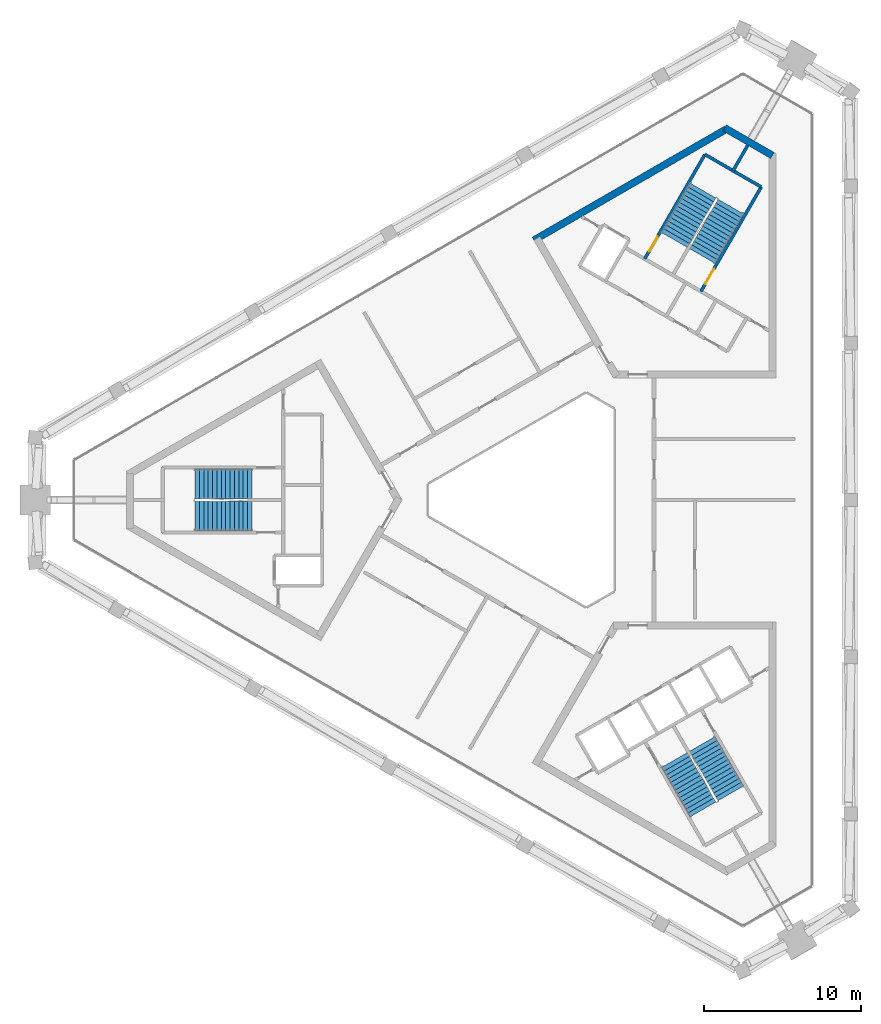
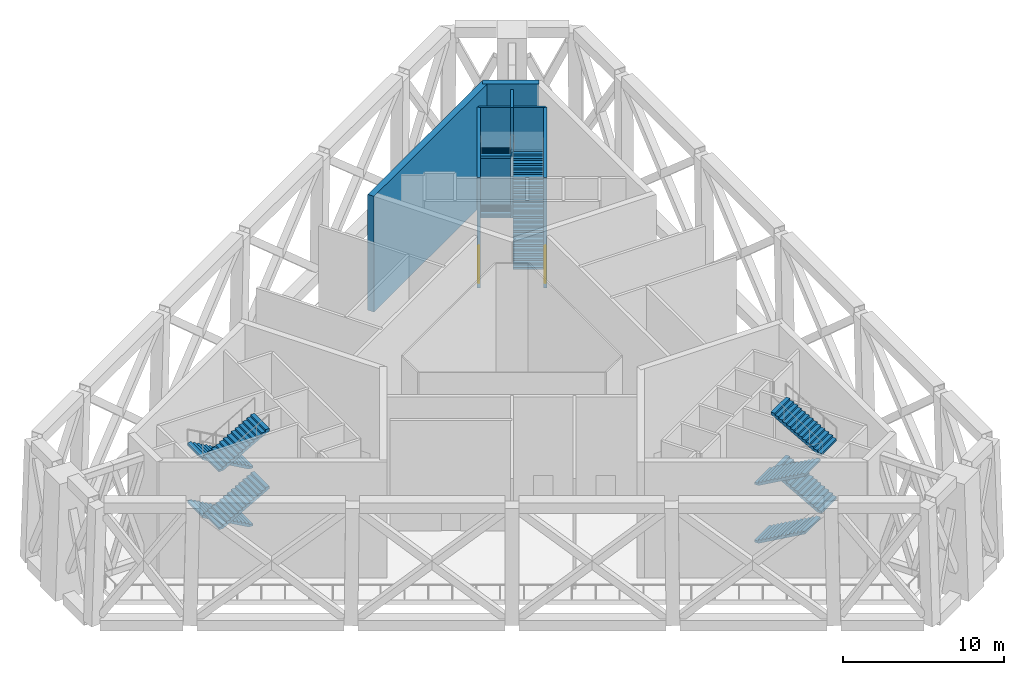
# One storey, part 6 of 8: 12 stair flights, 6 walls, 2 doors, 2 openings, 3 elements without a shape of their own.
"""IFC4 building model written with IfcOpenShell, lengths in metres."""

import ifcopenshell
import ifcopenshell.guid

model = None  # the IFC model being written
_history = None  # IfcOwnerHistory: only IFC2X3 demands one
_inside = {}  # id of a spatial element -> (the spatial element, [elements in it])
_under = {}  # id of a project, library or spatial element -> (it, [spatial elements below it])
_declared = {}  # id of a project -> (the project, [libraries it declares])
_typed = {}  # id of a type object -> (the type object, [elements of that type])
_made_of = {}  # id of a material, layer set ... -> (it, [elements and type objects made of it])


def new_model(schema):
    """Start an empty IFC model of exactly this schema.

    Asked for "IFC4X3", IfcOpenShell would pick the latest addendum, in which some entities
    have other attributes; the version numbers below select the first issue.
    IFC2X3 requires an IfcOwnerHistory on every rooted entity: one is made here for all.
    """
    global model, _history
    if schema == "IFC4X3":
        model = ifcopenshell.file(schema_version=(4, 3, 0, 0))
    else:
        model = ifcopenshell.file(schema=schema)
    _inside.clear()
    _under.clear()
    _declared.clear()
    _typed.clear()
    _made_of.clear()
    _history = None
    if model.schema == "IFC2X3":
        org = make("IfcOrganization", Name="unknown")
        user = make(
            "IfcPersonAndOrganization",
            ThePerson=make("IfcPerson", FamilyName="unknown"),
            TheOrganization=org,
        )
        app = make(
            "IfcApplication",
            ApplicationDeveloper=org,
            Version="unknown",
            ApplicationFullName="unknown",
            ApplicationIdentifier="unknown",
        )
        _history = make(
            "IfcOwnerHistory",
            OwningUser=user,
            OwningApplication=app,
            ChangeAction="ADDED",
            CreationDate=0,
        )
    return model


def make(cls, **values):
    """One entity of the class cls with the attributes given. An attribute that is None is left unset."""
    return model.create_entity(
        cls, **{name: value for name, value in values.items() if value is not None}
    )


def rooted(cls, **values):
    """An entity with a GlobalId (a new one), such as an element, a storey or a relation."""
    return make(cls, GlobalId=ifcopenshell.guid.new(), OwnerHistory=_history, **values)


def si_unit(unit_type, name, prefix=None):
    """IfcSIUnit, for example si_unit("LENGTHUNIT", "METRE", prefix="MILLI")."""
    return make("IfcSIUnit", UnitType=unit_type, Prefix=prefix, Name=name)


def assignment(units):
    """IfcUnitAssignment: the units of a project."""
    return None if units is None else make("IfcUnitAssignment", Units=units)


def point(xyz):
    """IfcCartesianPoint."""
    return None if xyz is None else make("IfcCartesianPoint", Coordinates=xyz)


def direction(xyz):
    """IfcDirection."""
    return None if xyz is None else make("IfcDirection", DirectionRatios=xyz)


def frame(location, z_axis=None, x_axis=None):
    """IfcAxis2Placement3D, a coordinate frame: its origin and axes. An axis left out is left unset."""
    return make(
        "IfcAxis2Placement3D",
        Location=point(location),
        Axis=direction(z_axis),
        RefDirection=direction(x_axis),
    )


def frame_2d(location, x_axis=None):
    """IfcAxis2Placement2D, a coordinate frame in the plane: its origin and x axis."""
    return make(
        "IfcAxis2Placement2D", Location=point(location), RefDirection=direction(x_axis)
    )


def origin():
    """The frame at (0, 0, 0) with its axes left unset."""
    return frame((0.0, 0.0, 0.0))


def place(relative_to, where):
    """IfcLocalPlacement: puts the frame where relative to a parent placement (None: the world)."""
    return make(
        "IfcLocalPlacement", PlacementRelTo=relative_to, RelativePlacement=where
    )


def context(
    kind, dimensions, precision=None, world=None, true_north=None, identifier=None
):
    """IfcGeometricRepresentationContext, for example the 3D "Model" context."""
    return make(
        "IfcGeometricRepresentationContext",
        ContextIdentifier=identifier,
        ContextType=kind,
        CoordinateSpaceDimension=dimensions,
        Precision=precision,
        WorldCoordinateSystem=world,
        TrueNorth=true_north,
    )


def subcontext(parent, identifier, kind, view, scale=None):
    """IfcGeometricRepresentationSubContext, for example "Body" below "Model"."""
    return make(
        "IfcGeometricRepresentationSubContext",
        ContextIdentifier=identifier,
        ContextType=kind,
        ParentContext=parent,
        TargetScale=scale,
        TargetView=view,
    )


def project(units=None, contexts=None):
    """IfcProject with its units and contexts."""
    return rooted(
        "IfcProject",
        Name="project",
        RepresentationContexts=contexts,
        UnitsInContext=assignment(units),
    )


def spatial(cls, under=None, at=None, **own):
    """A site, building, storey or space (cls), placed at a placement, below another one or the project."""
    s = rooted(cls, ObjectPlacement=at, **own)
    if under is not None:
        _under.setdefault(under.id(), (under, []))[1].append(s)
    return s


def polyline(points):
    """IfcPolyline through the points."""
    return make("IfcPolyline", Points=[point(p) for p in points])


def profile(cls, at=None, kind="AREA", **sizes):
    """A parametric profile (cls). Its sizes go by their IFC names, for example OverallWidth=200.0."""
    return make(cls, ProfileType=kind, Position=at, **sizes)


def rectangle(**sizes):
    """IfcRectangleProfileDef."""
    return profile("IfcRectangleProfileDef", **sizes)


def outline(outer, holes=None, kind="AREA"):
    """IfcArbitraryClosedProfileDef: a profile drawn as a closed curve; with holes, ...WithVoids."""
    if holes is None:
        return make("IfcArbitraryClosedProfileDef", ProfileType=kind, OuterCurve=outer)
    return make(
        "IfcArbitraryProfileDefWithVoids",
        ProfileType=kind,
        OuterCurve=outer,
        InnerCurves=holes,
    )


def extrude(swept, where, along, depth):
    """IfcExtrudedAreaSolid: the profile swept, set in the frame where, extruded along a direction by depth."""
    return make(
        "IfcExtrudedAreaSolid",
        SweptArea=swept,
        Position=where,
        ExtrudedDirection=direction(along),
        Depth=depth,
    )


def shape(context_of_items, identifier, shape_type, items):
    """IfcShapeRepresentation: the items that make up one representation, for example the "Body"."""
    return make(
        "IfcShapeRepresentation",
        ContextOfItems=context_of_items,
        RepresentationIdentifier=identifier,
        RepresentationType=shape_type,
        Items=items,
    )


def material(Name=None, Category=None):
    """IfcMaterial."""
    return make("IfcMaterial", Name=Name, Category=Category)


def layer(
    of_material, thickness, ventilated=None, Name=None, Category=None, Priority=None
):
    """IfcMaterialLayer: one layer of a wall or slab, of a material (None: an air gap)."""
    return make(
        "IfcMaterialLayer",
        Material=of_material,
        LayerThickness=thickness,
        IsVentilated=ventilated,
        Name=Name,
        Category=Category,
        Priority=Priority,
    )


def layer_set(layers, Name=None):
    """IfcMaterialLayerSet."""
    return make("IfcMaterialLayerSet", MaterialLayers=layers, LayerSetName=Name)


def made_of(thing, what):
    """Note that an element or type object is made of a material, layer set ...; save() writes the relation."""
    if what is not None:
        _made_of.setdefault(what.id(), (what, []))[1].append(thing)
    return thing


def type_object(cls, material=None, **own):
    """A type object (cls), such as IfcWallType, which elements share."""
    return made_of(rooted(cls, **own), material)


def element(
    cls,
    number,
    at=None,
    inside=None,
    cuts=None,
    type_object=None,
    material=None,
    context=None,
    identifier="Body",
    shape_type=None,
    held_by="IfcProductDefinitionShape",
    body=None,
    shapes=None,
    **own,
):
    """One element of the class cls, such as IfcWall. Its Tag is "e" and its number.

    at: its placement. inside: the storey or other place that contains it. cuts: it is an
    opening in that element (IfcRelVoidsElement). A single representation is given by context,
    identifier, shape_type and body (its items); several are given by shapes. held_by: the class
    of the entity that holds the representations. save() writes the other relations.
    """
    e = rooted(cls, Tag="e%d" % number, ObjectPlacement=at, **own)
    if body is not None:
        shapes = [shape(context, identifier, shape_type, body)]
    if shapes is not None:
        e.Representation = make(held_by, Representations=shapes)
    if inside is not None:
        _inside.setdefault(inside.id(), (inside, []))[1].append(e)
    if cuts is not None:
        rooted(
            "IfcRelVoidsElement", RelatingBuildingElement=cuts, RelatedOpeningElement=e
        )
    if type_object is not None:
        _typed.setdefault(type_object.id(), (type_object, []))[1].append(e)
    return made_of(e, material)


def fill(opening, filler):
    """IfcRelFillsElement: the door or window that sits in an opening."""
    return rooted(
        "IfcRelFillsElement",
        RelatingOpeningElement=opening,
        RelatedBuildingElement=filler,
    )


def aggregate(whole, parts):
    """IfcRelAggregates: a whole, such as a stair, and the parts it consists of."""
    return rooted("IfcRelAggregates", RelatingObject=whole, RelatedObjects=parts)


def save(model, path):
    """Write the relations noted so far, then the file.

    IfcRelAggregates (storeys below a building ...), IfcRelContainedInSpatialStructure (elements
    in a storey), IfcRelDefinesByType, IfcRelAssociatesMaterial and IfcRelDeclares: one each for
    every whole, place, type object, material and project.
    """
    for whole, parts in _under.values():
        aggregate(whole, parts)
    for where, things in _inside.values():
        rooted(
            "IfcRelContainedInSpatialStructure",
            RelatedElements=things,
            RelatingStructure=where,
        )
    for kind, things in _typed.values():
        rooted("IfcRelDefinesByType", RelatedObjects=things, RelatingType=kind)
    for what, things in _made_of.values():
        rooted("IfcRelAssociatesMaterial", RelatedObjects=things, RelatingMaterial=what)
    for by, libraries in _declared.values():
        rooted("IfcRelDeclares", RelatingContext=by, RelatedDefinitions=libraries)
    model.write(path)


model = new_model("IFC4")

# Units and contexts
model_context = context("Model", 3, precision=1e-05, world=origin(), true_north=direction((0.0, 1.0)))
body_context = subcontext(model_context, "Body", "Model", "MODEL_VIEW")
ifc_project = project(units=[si_unit("LENGTHUNIT", "METRE"), si_unit("AREAUNIT", "SQUARE_METRE"), si_unit("VOLUMEUNIT", "CUBIC_METRE"), si_unit("PLANEANGLEUNIT", "RADIAN"), si_unit("MASSUNIT", "GRAM", prefix="KILO")], contexts=[model_context])

# Site, building, storey
site_placement = place(None, origin())
site = spatial("IfcSite", under=ifc_project, at=site_placement, CompositionType="ELEMENT")
building_placement = place(site_placement, origin())
building = spatial("IfcBuilding", under=site, at=building_placement, Name="Jabali Bay Hotel Tower and Convention Centre", CompositionType="ELEMENT")
storey_placement = place(building_placement, frame((0.0, 0.0, 246.5)))
storey = spatial("IfcBuildingStorey", under=building, at=storey_placement, Name="L61", CompositionType="ELEMENT", Elevation=246.5)

# Wall
ifc_material_1 = material(Name="Concrete C40", Category="concrete")
ifc_layer_1 = layer(ifc_material_1, 0.199951171875)
ifc_layer_set_1 = layer_set([ifc_layer_1], Name="Concrete C40")
wall_type_1 = type_object("IfcWallType", Name="Core partition wall 200", PredefinedType="PARTITIONING", material=ifc_layer_set_1)
wall_1_placement = place(storey_placement, frame((87.090087890625, 100.9404296875, 0.0), z_axis=(0.0, 0.0, 1.0), x_axis=(0.500011643316, 0.866018681408, 0.0)))
element("IfcWall", 1, at=wall_1_placement, inside=storey, type_object=wall_type_1, Name="Core wall 1.5 L61", PredefinedType="PARTITIONING", context=body_context, shape_type="SweptSolid", body=[
    extrude(rectangle(XDim=1.97314453125, YDim=0.199951171875, at=frame_2d((0.986572265625, 0.0))), origin(), (0.0, 0.0, 1.0), 8.39990234375),
])

# Wall, opening, door
ifc_layer_2 = layer(ifc_material_1, 0.199951171875)
ifc_layer_set_2 = layer_set([ifc_layer_2], Name="Concrete C40")
wall_type_2 = type_object("IfcWallType", Name="Core stair wall 200", PredefinedType="SOLIDWALL", material=ifc_layer_set_2)
wall_2_placement = place(storey_placement, frame((85.0869140625, 93.3212890625, 0.0), z_axis=(0.0, 0.0, 1.0), x_axis=(0.500019787375, 0.866013979237, 0.0)))
wall_2 = element("IfcWall", 2, at=wall_2_placement, inside=storey, type_object=wall_type_2, Name="Core wall 1.2 L61", PredefinedType="SOLIDWALL", context=body_context, shape_type="SweptSolid", body=[
    extrude(rectangle(XDim=7.699951171875, YDim=0.199951171875, at=frame_2d((3.85009765625, 0.0))), origin(), (0.0, 0.0, 1.0), 8.39990234375),
])
opening_1_placement = place(wall_2_placement, frame((0.550048828125, 0.0, 0.0)))
opening_1 = element("IfcOpeningElement", 3, at=opening_1_placement, cuts=wall_2, Name="Opening D1345", PredefinedType="OPENING", context=body_context, shape_type="SweptSolid", body=[
    extrude(rectangle(XDim=1.10009765625, YDim=2.10009765625, at=frame_2d((0.550048828125, 1.050048828125))), frame((0.0, 0.1103515625, 0.0), z_axis=(0.0, -1.0, 0.0), x_axis=(1.0, 0.0, 0.0)), (0.0, 0.0, 1.0), 0.220947265625),
])
ifc_material_2 = material(Name="Fire-rated steel door", Category="steel")
door_type = type_object("IfcDoorType", Name="Stair fire door 1100 x 2100", OperationType="NOTDEFINED", PredefinedType="NOTDEFINED", material=ifc_material_2)
door_1_placement = place(opening_1_placement, origin())
door_1 = element("IfcDoor", 4, at=door_1_placement, inside=storey, type_object=door_type, Name="Stair fire door D1345", OperationType="SINGLE_SWING_LEFT", OverallHeight=2.10009765625, OverallWidth=1.10009765625, PredefinedType="NOTDEFINED", context=body_context, shape_type="SweptSolid", body=[
    extrude(rectangle(XDim=1.10009765625, YDim=2.10009765625, at=frame_2d((0.550048828125, 1.050048828125))), frame((0.0, 0.02490234375, 0.0), z_axis=(0.0, -1.0, 0.0), x_axis=(1.0, 0.0, 0.0)), (0.0, 0.0, 1.0), 0.050048828125),
])
fill(opening_1, door_1)

wall_3_placement = place(storey_placement, frame((81.492919921875, 95.396240234375, 0.0), z_axis=(0.0, 0.0, 1.0), x_axis=(0.500006057782, 0.866021906294, 0.0)))
wall_3 = element("IfcWall", 5, at=wall_3_placement, inside=storey, type_object=wall_type_2, Name="Core wall 1.6 L61", PredefinedType="SOLIDWALL", context=body_context, shape_type="SweptSolid", body=[
    extrude(rectangle(XDim=7.7001953125, YDim=0.199951171875, at=frame_2d((3.85009765625, 0.0))), origin(), (0.0, 0.0, 1.0), 8.39990234375),
])
opening_2_placement = place(wall_3_placement, frame((0.550048828125, 0.0, 0.0)))
opening_2 = element("IfcOpeningElement", 6, at=opening_2_placement, cuts=wall_3, Name="Opening D1344", PredefinedType="OPENING", context=body_context, shape_type="SweptSolid", body=[
    extrude(rectangle(XDim=1.10009765625, YDim=2.10009765625, at=frame_2d((0.550048828125, 1.050048828125))), frame((0.0, 0.1103515625, 0.0), z_axis=(0.0, -1.0, 0.0), x_axis=(1.0, 0.0, 0.0)), (0.0, 0.0, 1.0), 0.220947265625),
])
door_2_placement = place(opening_2_placement, origin())
door_2 = element("IfcDoor", 7, at=door_2_placement, inside=storey, type_object=door_type, Name="Stair fire door D1344", OperationType="SINGLE_SWING_RIGHT", OverallHeight=2.10009765625, OverallWidth=1.10009765625, PredefinedType="NOTDEFINED", context=body_context, shape_type="SweptSolid", body=[
    extrude(rectangle(XDim=1.10009765625, YDim=2.10009765625, at=frame_2d((0.550048828125, 1.050048828125))), frame((0.0, 0.02490234375, 0.0), z_axis=(0.0, -1.0, 0.0), x_axis=(1.0, 0.0, 0.0)), (0.0, 0.0, 1.0), 0.050048828125),
])
fill(opening_2, door_2)

# Walls
wall_4_placement = place(storey_placement, frame((88.93701171875, 99.989501953125, 0.0), z_axis=(0.0, 0.0, 1.0), x_axis=(-0.866004344652, 0.500036473714, 0.0)))
element("IfcWall", 8, at=wall_4_placement, inside=storey, type_object=wall_type_2, Name="Core wall 1.13 L61", PredefinedType="SOLIDWALL", context=body_context, shape_type="SweptSolid", body=[
    extrude(rectangle(XDim=4.150146484375, YDim=0.199951171875, at=frame_2d((2.0751953125, 0.0))), origin(), (0.0, 0.0, 1.0), 8.39990234375),
])
ifc_material_3 = material(Name="Concrete C60", Category="concrete")
ifc_layer_3 = layer(ifc_material_3, 0.449951171875)
ifc_layer_set_3 = layer_set([ifc_layer_3], Name="Concrete C60")
wall_type_3 = type_object("IfcWallType", Name="Core wall 450", PredefinedType="SHEAR", material=ifc_layer_set_3)
wall_5_placement = place(storey_placement, frame((89.655029296875, 101.997802734375, 0.0), z_axis=(0.0, 0.0, 1.0), x_axis=(-0.866042179588, 0.49997094233, 0.0)))
element("IfcWall", 9, at=wall_5_placement, inside=storey, type_object=wall_type_3, Name="Core wall 2.3 L61", PredefinedType="SHEAR", context=body_context, shape_type="SweptSolid", body=[
    extrude(rectangle(XDim=3.515380859375, YDim=0.449951171875, at=frame_2d((1.7578125, 0.0))), origin(), (0.0, 0.0, 1.0), 8.800048828125),
])
wall_6_placement = place(storey_placement, frame((86.72314453125, 103.6904296875, 0.0), z_axis=(0.0, 0.0, 1.0), x_axis=(-0.866022713978, -0.500004658852, 0.0)))
element("IfcWall", 10, at=wall_6_placement, inside=storey, type_object=wall_type_3, Name="Core wall 2.4 L61", PredefinedType="SHEAR", context=body_context, shape_type="SweptSolid", body=[
    extrude(rectangle(XDim=14.203369140625, YDim=0.449951171875, at=frame_2d((7.1015625, 0.0))), origin(), (0.0, 0.0, 1.0), 8.800048828125),
])

# Stair, stair flights
stair_type = type_object("IfcStairType", Name="Exit stair 1900", PredefinedType="HALF_TURN_STAIR", material=ifc_material_1)
stair_1_placement = place(storey_placement, origin())
stair_1 = element("IfcStair", 11, at=stair_1_placement, inside=storey, type_object=stair_type, Name="L61 Exit Stair 1", PredefinedType="HALF_TURN_STAIR")
stair_flight_type = type_object("IfcStairFlightType", Name="Stair flight concrete 150", PredefinedType="STRAIGHT", material=ifc_material_1)
stair_flight_1_placement = place(storey_placement, frame((56.419921875, 81.02490234375, 0.0), z_axis=(0.0, 0.0, 1.0), x_axis=(-1.0, 0.0, 0.0)))
stair_flight_1 = element("IfcStairFlight", 12, at=stair_flight_1_placement, type_object=stair_flight_type, Name="ST1 flight 1", NumberOfRisers=14, NumberOfTreads=13, PredefinedType="STRAIGHT", RiserHeight=0.157142857, TreadLength=0.28, context=body_context, shape_type="SweptSolid", body=[
    extrude(outline(polyline([(0.0, 0.0), (0.0, 0.1572265625), (0.280029296875, 0.1572265625), (0.280029296875, 0.314208984375), (0.56005859375, 0.314208984375), (0.56005859375, 0.471435546875), (0.840087890625, 0.471435546875), (0.840087890625, 0.628662109375), (1.1201171875, 0.628662109375), (1.1201171875, 0.78564453125), (1.39990234375, 0.78564453125), (1.39990234375, 0.94287109375), (1.679931640625, 0.94287109375), (1.679931640625, 1.10009765625), (1.9599609375, 1.10009765625), (1.9599609375, 1.257080078125), (2.239990234375, 1.257080078125), (2.239990234375, 1.414306640625), (2.52001953125, 1.414306640625), (2.52001953125, 1.571533203125), (2.800048828125, 1.571533203125), (2.800048828125, 1.728515625), (3.080078125, 1.728515625), (3.080078125, 1.8857421875), (3.360107421875, 1.8857421875), (3.360107421875, 2.04296875), (3.639892578125, 2.04296875), (3.639892578125, 2.199951171875), (3.639892578125, 1.870849609375), (0.306396484375, 0.0), (0.0, 0.0)])), frame((0.0, 0.949951171875, 0.0), z_axis=(0.0, -1.0, 0.0), x_axis=(1.0, 0.0, 0.0)), (0.0, 0.0, 1.0), 1.89990234375),
])
stair_flight_2_placement = place(storey_placement, frame((52.780029296875, 78.97509765625, 2.199951171875), z_axis=(0.0, 0.0, 1.0), x_axis=(1.0, 0.0, 0.0)))
stair_flight_2 = element("IfcStairFlight", 13, at=stair_flight_2_placement, type_object=stair_flight_type, Name="ST1 flight 2", NumberOfRisers=14, NumberOfTreads=13, PredefinedType="STRAIGHT", RiserHeight=0.157142857, TreadLength=0.28, context=body_context, shape_type="SweptSolid", body=[
    extrude(outline(polyline([(0.0, 0.0), (0.0, 0.1572265625), (0.280029296875, 0.1572265625), (0.280029296875, 0.314208984375), (0.56005859375, 0.314208984375), (0.56005859375, 0.471435546875), (0.840087890625, 0.471435546875), (0.840087890625, 0.628662109375), (1.1201171875, 0.628662109375), (1.1201171875, 0.78564453125), (1.39990234375, 0.78564453125), (1.39990234375, 0.94287109375), (1.679931640625, 0.94287109375), (1.679931640625, 1.10009765625), (1.9599609375, 1.10009765625), (1.9599609375, 1.257080078125), (2.239990234375, 1.257080078125), (2.239990234375, 1.414306640625), (2.52001953125, 1.414306640625), (2.52001953125, 1.571533203125), (2.800048828125, 1.571533203125), (2.800048828125, 1.728515625), (3.080078125, 1.728515625), (3.080078125, 1.8857421875), (3.360107421875, 1.8857421875), (3.360107421875, 2.04296875), (3.639892578125, 2.04296875), (3.639892578125, 2.199951171875), (3.639892578125, 1.870849609375), (0.306396484375, 0.0), (0.0, 0.0)])), frame((0.0, 0.949951171875, 0.0), z_axis=(0.0, -1.0, 0.0), x_axis=(1.0, 0.0, 0.0)), (0.0, 0.0, 1.0), 1.89990234375),
])
stair_flight_3_placement = place(storey_placement, frame((56.419921875, 81.02490234375, 4.39990234375), z_axis=(0.0, 0.0, 1.0), x_axis=(-1.0, 0.0, 0.0)))
stair_flight_3 = element("IfcStairFlight", 14, at=stair_flight_3_placement, type_object=stair_flight_type, Name="ST1 flight 3", NumberOfRisers=14, NumberOfTreads=13, PredefinedType="STRAIGHT", RiserHeight=0.157142857, TreadLength=0.28, context=body_context, shape_type="SweptSolid", body=[
    extrude(outline(polyline([(0.0, 0.0), (0.0, 0.1572265625), (0.280029296875, 0.1572265625), (0.280029296875, 0.314208984375), (0.56005859375, 0.314208984375), (0.56005859375, 0.471435546875), (0.840087890625, 0.471435546875), (0.840087890625, 0.628662109375), (1.1201171875, 0.628662109375), (1.1201171875, 0.78564453125), (1.39990234375, 0.78564453125), (1.39990234375, 0.94287109375), (1.679931640625, 0.94287109375), (1.679931640625, 1.10009765625), (1.9599609375, 1.10009765625), (1.9599609375, 1.257080078125), (2.239990234375, 1.257080078125), (2.239990234375, 1.414306640625), (2.52001953125, 1.414306640625), (2.52001953125, 1.571533203125), (2.800048828125, 1.571533203125), (2.800048828125, 1.728515625), (3.080078125, 1.728515625), (3.080078125, 1.8857421875), (3.360107421875, 1.8857421875), (3.360107421875, 2.04296875), (3.639892578125, 2.04296875), (3.639892578125, 2.199951171875), (3.639892578125, 1.870849609375), (0.306396484375, 0.0), (0.0, 0.0)])), frame((0.0, 0.949951171875, 0.0), z_axis=(0.0, -1.0, 0.0), x_axis=(1.0, 0.0, 0.0)), (0.0, 0.0, 1.0), 1.89990234375),
])
stair_flight_4_placement = place(storey_placement, frame((52.780029296875, 78.97509765625, 6.60009765625), z_axis=(0.0, 0.0, 1.0), x_axis=(1.0, 0.0, 0.0)))
stair_flight_4 = element("IfcStairFlight", 15, at=stair_flight_4_placement, type_object=stair_flight_type, Name="ST1 flight 4", NumberOfRisers=14, NumberOfTreads=13, PredefinedType="STRAIGHT", RiserHeight=0.157142857, TreadLength=0.28, context=body_context, shape_type="SweptSolid", body=[
    extrude(outline(polyline([(0.0, 0.0), (0.0, 0.1572265625), (0.280029296875, 0.1572265625), (0.280029296875, 0.314208984375), (0.56005859375, 0.314208984375), (0.56005859375, 0.471435546875), (0.840087890625, 0.471435546875), (0.840087890625, 0.628662109375), (1.1201171875, 0.628662109375), (1.1201171875, 0.78564453125), (1.39990234375, 0.78564453125), (1.39990234375, 0.94287109375), (1.679931640625, 0.94287109375), (1.679931640625, 1.10009765625), (1.9599609375, 1.10009765625), (1.9599609375, 1.257080078125), (2.239990234375, 1.257080078125), (2.239990234375, 1.414306640625), (2.52001953125, 1.414306640625), (2.52001953125, 1.571533203125), (2.800048828125, 1.571533203125), (2.800048828125, 1.728515625), (3.080078125, 1.728515625), (3.080078125, 1.8857421875), (3.360107421875, 1.8857421875), (3.360107421875, 2.04296875), (3.639892578125, 2.04296875), (3.639892578125, 2.199951171875), (3.639892578125, 1.870849609375), (0.306396484375, 0.0), (0.0, 0.0)])), frame((0.0, 0.949951171875, 0.0), z_axis=(0.0, -1.0, 0.0), x_axis=(1.0, 0.0, 0.0)), (0.0, 0.0, 1.0), 1.89990234375),
])
aggregate(stair_1, [stair_flight_1, stair_flight_2, stair_flight_3, stair_flight_4])

stair_2_placement = place(storey_placement, origin())
stair_2 = element("IfcStair", 16, at=stair_2_placement, inside=storey, type_object=stair_type, Name="L61 Exit Stair 2", PredefinedType="HALF_TURN_STAIR")
stair_flight_5_placement = place(storey_placement, frame((85.177734375, 95.578369140625, 0.0), z_axis=(0.0, 0.0, 1.0), x_axis=(0.5, 0.866025403784, 0.0)))
stair_flight_5 = element("IfcStairFlight", 17, at=stair_flight_5_placement, type_object=stair_flight_type, Name="ST2 flight 1", NumberOfRisers=14, NumberOfTreads=13, PredefinedType="STRAIGHT", RiserHeight=0.157142857, TreadLength=0.28, context=body_context, shape_type="SweptSolid", body=[
    extrude(outline(polyline([(0.0, 0.0), (0.0, 0.1572265625), (0.280029296875, 0.1572265625), (0.280029296875, 0.314208984375), (0.56005859375, 0.314208984375), (0.56005859375, 0.471435546875), (0.840087890625, 0.471435546875), (0.840087890625, 0.628662109375), (1.1201171875, 0.628662109375), (1.1201171875, 0.78564453125), (1.39990234375, 0.78564453125), (1.39990234375, 0.94287109375), (1.679931640625, 0.94287109375), (1.679931640625, 1.10009765625), (1.9599609375, 1.10009765625), (1.9599609375, 1.257080078125), (2.239990234375, 1.257080078125), (2.239990234375, 1.414306640625), (2.52001953125, 1.414306640625), (2.52001953125, 1.571533203125), (2.800048828125, 1.571533203125), (2.800048828125, 1.728515625), (3.080078125, 1.728515625), (3.080078125, 1.8857421875), (3.360107421875, 1.8857421875), (3.360107421875, 2.04296875), (3.639892578125, 2.04296875), (3.639892578125, 2.199951171875), (3.639892578125, 1.870849609375), (0.306396484375, 0.0), (0.0, 0.0)])), frame((0.0, 0.949951171875, 0.0), z_axis=(0.0, -1.0, 0.0), x_axis=(1.0, 0.0, 0.0)), (0.0, 0.0, 1.0), 1.89990234375),
])
stair_flight_6_placement = place(storey_placement, frame((85.222412109375, 99.755615234375, 2.199951171875), z_axis=(0.0, 0.0, 1.0), x_axis=(-0.5, -0.866025403784, 0.0)))
stair_flight_6 = element("IfcStairFlight", 18, at=stair_flight_6_placement, type_object=stair_flight_type, Name="ST2 flight 2", NumberOfRisers=14, NumberOfTreads=13, PredefinedType="STRAIGHT", RiserHeight=0.157142857, TreadLength=0.28, context=body_context, shape_type="SweptSolid", body=[
    extrude(outline(polyline([(0.0, 0.0), (0.0, 0.1572265625), (0.280029296875, 0.1572265625), (0.280029296875, 0.314208984375), (0.56005859375, 0.314208984375), (0.56005859375, 0.471435546875), (0.840087890625, 0.471435546875), (0.840087890625, 0.628662109375), (1.1201171875, 0.628662109375), (1.1201171875, 0.78564453125), (1.39990234375, 0.78564453125), (1.39990234375, 0.94287109375), (1.679931640625, 0.94287109375), (1.679931640625, 1.10009765625), (1.9599609375, 1.10009765625), (1.9599609375, 1.257080078125), (2.239990234375, 1.257080078125), (2.239990234375, 1.414306640625), (2.52001953125, 1.414306640625), (2.52001953125, 1.571533203125), (2.800048828125, 1.571533203125), (2.800048828125, 1.728515625), (3.080078125, 1.728515625), (3.080078125, 1.8857421875), (3.360107421875, 1.8857421875), (3.360107421875, 2.04296875), (3.639892578125, 2.04296875), (3.639892578125, 2.199951171875), (3.639892578125, 1.870849609375), (0.306396484375, 0.0), (0.0, 0.0)])), frame((0.0, 0.949951171875, 0.0), z_axis=(0.0, -1.0, 0.0), x_axis=(1.0, 0.0, 0.0)), (0.0, 0.0, 1.0), 1.89990234375),
])
stair_flight_7_placement = place(storey_placement, frame((85.177734375, 95.578369140625, 4.39990234375), z_axis=(0.0, 0.0, 1.0), x_axis=(0.5, 0.866025403784, 0.0)))
stair_flight_7 = element("IfcStairFlight", 19, at=stair_flight_7_placement, type_object=stair_flight_type, Name="ST2 flight 3", NumberOfRisers=14, NumberOfTreads=13, PredefinedType="STRAIGHT", RiserHeight=0.157142857, TreadLength=0.28, context=body_context, shape_type="SweptSolid", body=[
    extrude(outline(polyline([(0.0, 0.0), (0.0, 0.1572265625), (0.280029296875, 0.1572265625), (0.280029296875, 0.314208984375), (0.56005859375, 0.314208984375), (0.56005859375, 0.471435546875), (0.840087890625, 0.471435546875), (0.840087890625, 0.628662109375), (1.1201171875, 0.628662109375), (1.1201171875, 0.78564453125), (1.39990234375, 0.78564453125), (1.39990234375, 0.94287109375), (1.679931640625, 0.94287109375), (1.679931640625, 1.10009765625), (1.9599609375, 1.10009765625), (1.9599609375, 1.257080078125), (2.239990234375, 1.257080078125), (2.239990234375, 1.414306640625), (2.52001953125, 1.414306640625), (2.52001953125, 1.571533203125), (2.800048828125, 1.571533203125), (2.800048828125, 1.728515625), (3.080078125, 1.728515625), (3.080078125, 1.8857421875), (3.360107421875, 1.8857421875), (3.360107421875, 2.04296875), (3.639892578125, 2.04296875), (3.639892578125, 2.199951171875), (3.639892578125, 1.870849609375), (0.306396484375, 0.0), (0.0, 0.0)])), frame((0.0, 0.949951171875, 0.0), z_axis=(0.0, -1.0, 0.0), x_axis=(1.0, 0.0, 0.0)), (0.0, 0.0, 1.0), 1.89990234375),
])
stair_flight_8_placement = place(storey_placement, frame((85.222412109375, 99.755615234375, 6.60009765625), z_axis=(0.0, 0.0, 1.0), x_axis=(-0.5, -0.866025403784, 0.0)))
stair_flight_8 = element("IfcStairFlight", 20, at=stair_flight_8_placement, type_object=stair_flight_type, Name="ST2 flight 4", NumberOfRisers=14, NumberOfTreads=13, PredefinedType="STRAIGHT", RiserHeight=0.157142857, TreadLength=0.28, context=body_context, shape_type="SweptSolid", body=[
    extrude(outline(polyline([(0.0, 0.0), (0.0, 0.1572265625), (0.280029296875, 0.1572265625), (0.280029296875, 0.314208984375), (0.56005859375, 0.314208984375), (0.56005859375, 0.471435546875), (0.840087890625, 0.471435546875), (0.840087890625, 0.628662109375), (1.1201171875, 0.628662109375), (1.1201171875, 0.78564453125), (1.39990234375, 0.78564453125), (1.39990234375, 0.94287109375), (1.679931640625, 0.94287109375), (1.679931640625, 1.10009765625), (1.9599609375, 1.10009765625), (1.9599609375, 1.257080078125), (2.239990234375, 1.257080078125), (2.239990234375, 1.414306640625), (2.52001953125, 1.414306640625), (2.52001953125, 1.571533203125), (2.800048828125, 1.571533203125), (2.800048828125, 1.728515625), (3.080078125, 1.728515625), (3.080078125, 1.8857421875), (3.360107421875, 1.8857421875), (3.360107421875, 2.04296875), (3.639892578125, 2.04296875), (3.639892578125, 2.199951171875), (3.639892578125, 1.870849609375), (0.306396484375, 0.0), (0.0, 0.0)])), frame((0.0, 0.949951171875, 0.0), z_axis=(0.0, -1.0, 0.0), x_axis=(1.0, 0.0, 0.0)), (0.0, 0.0, 1.0), 1.89990234375),
])
aggregate(stair_2, [stair_flight_5, stair_flight_6, stair_flight_7, stair_flight_8])

stair_3_placement = place(storey_placement, origin())
stair_3 = element("IfcStair", 21, at=stair_3_placement, inside=storey, type_object=stair_type, Name="L61 Exit Stair 3", PredefinedType="HALF_TURN_STAIR")
stair_flight_9_placement = place(storey_placement, frame((83.40234375, 63.396728515625, 0.0), z_axis=(0.0, 0.0, 1.0), x_axis=(0.5, -0.866025403784, 0.0)))
stair_flight_9 = element("IfcStairFlight", 22, at=stair_flight_9_placement, type_object=stair_flight_type, Name="ST3 flight 1", NumberOfRisers=14, NumberOfTreads=13, PredefinedType="STRAIGHT", RiserHeight=0.157142857, TreadLength=0.28, context=body_context, shape_type="SweptSolid", body=[
    extrude(outline(polyline([(0.0, 0.0), (0.0, 0.1572265625), (0.280029296875, 0.1572265625), (0.280029296875, 0.314208984375), (0.56005859375, 0.314208984375), (0.56005859375, 0.471435546875), (0.840087890625, 0.471435546875), (0.840087890625, 0.628662109375), (1.1201171875, 0.628662109375), (1.1201171875, 0.78564453125), (1.39990234375, 0.78564453125), (1.39990234375, 0.94287109375), (1.679931640625, 0.94287109375), (1.679931640625, 1.10009765625), (1.9599609375, 1.10009765625), (1.9599609375, 1.257080078125), (2.239990234375, 1.257080078125), (2.239990234375, 1.414306640625), (2.52001953125, 1.414306640625), (2.52001953125, 1.571533203125), (2.800048828125, 1.571533203125), (2.800048828125, 1.728515625), (3.080078125, 1.728515625), (3.080078125, 1.8857421875), (3.360107421875, 1.8857421875), (3.360107421875, 2.04296875), (3.639892578125, 2.04296875), (3.639892578125, 2.199951171875), (3.639892578125, 1.870849609375), (0.306396484375, 0.0), (0.0, 0.0)])), frame((0.0, 0.949951171875, 0.0), z_axis=(0.0, -1.0, 0.0), x_axis=(1.0, 0.0, 0.0)), (0.0, 0.0, 1.0), 1.89990234375),
])
stair_flight_10_placement = place(storey_placement, frame((86.99755859375, 61.26953125, 2.199951171875), z_axis=(0.0, 0.0, 1.0), x_axis=(-0.5, 0.866025403784, 0.0)))
stair_flight_10 = element("IfcStairFlight", 23, at=stair_flight_10_placement, type_object=stair_flight_type, Name="ST3 flight 2", NumberOfRisers=14, NumberOfTreads=13, PredefinedType="STRAIGHT", RiserHeight=0.157142857, TreadLength=0.28, context=body_context, shape_type="SweptSolid", body=[
    extrude(outline(polyline([(0.0, 0.0), (0.0, 0.1572265625), (0.280029296875, 0.1572265625), (0.280029296875, 0.314208984375), (0.56005859375, 0.314208984375), (0.56005859375, 0.471435546875), (0.840087890625, 0.471435546875), (0.840087890625, 0.628662109375), (1.1201171875, 0.628662109375), (1.1201171875, 0.78564453125), (1.39990234375, 0.78564453125), (1.39990234375, 0.94287109375), (1.679931640625, 0.94287109375), (1.679931640625, 1.10009765625), (1.9599609375, 1.10009765625), (1.9599609375, 1.257080078125), (2.239990234375, 1.257080078125), (2.239990234375, 1.414306640625), (2.52001953125, 1.414306640625), (2.52001953125, 1.571533203125), (2.800048828125, 1.571533203125), (2.800048828125, 1.728515625), (3.080078125, 1.728515625), (3.080078125, 1.8857421875), (3.360107421875, 1.8857421875), (3.360107421875, 2.04296875), (3.639892578125, 2.04296875), (3.639892578125, 2.199951171875), (3.639892578125, 1.870849609375), (0.306396484375, 0.0), (0.0, 0.0)])), frame((0.0, 0.949951171875, 0.0), z_axis=(0.0, -1.0, 0.0), x_axis=(1.0, 0.0, 0.0)), (0.0, 0.0, 1.0), 1.89990234375),
])
stair_flight_11_placement = place(storey_placement, frame((83.40234375, 63.396728515625, 4.39990234375), z_axis=(0.0, 0.0, 1.0), x_axis=(0.5, -0.866025403784, 0.0)))
stair_flight_11 = element("IfcStairFlight", 24, at=stair_flight_11_placement, type_object=stair_flight_type, Name="ST3 flight 3", NumberOfRisers=14, NumberOfTreads=13, PredefinedType="STRAIGHT", RiserHeight=0.157142857, TreadLength=0.28, context=body_context, shape_type="SweptSolid", body=[
    extrude(outline(polyline([(0.0, 0.0), (0.0, 0.1572265625), (0.280029296875, 0.1572265625), (0.280029296875, 0.314208984375), (0.56005859375, 0.314208984375), (0.56005859375, 0.471435546875), (0.840087890625, 0.471435546875), (0.840087890625, 0.628662109375), (1.1201171875, 0.628662109375), (1.1201171875, 0.78564453125), (1.39990234375, 0.78564453125), (1.39990234375, 0.94287109375), (1.679931640625, 0.94287109375), (1.679931640625, 1.10009765625), (1.9599609375, 1.10009765625), (1.9599609375, 1.257080078125), (2.239990234375, 1.257080078125), (2.239990234375, 1.414306640625), (2.52001953125, 1.414306640625), (2.52001953125, 1.571533203125), (2.800048828125, 1.571533203125), (2.800048828125, 1.728515625), (3.080078125, 1.728515625), (3.080078125, 1.8857421875), (3.360107421875, 1.8857421875), (3.360107421875, 2.04296875), (3.639892578125, 2.04296875), (3.639892578125, 2.199951171875), (3.639892578125, 1.870849609375), (0.306396484375, 0.0), (0.0, 0.0)])), frame((0.0, 0.949951171875, 0.0), z_axis=(0.0, -1.0, 0.0), x_axis=(1.0, 0.0, 0.0)), (0.0, 0.0, 1.0), 1.89990234375),
])
stair_flight_12_placement = place(storey_placement, frame((86.99755859375, 61.26953125, 6.60009765625), z_axis=(0.0, 0.0, 1.0), x_axis=(-0.5, 0.866025403784, 0.0)))
stair_flight_12 = element("IfcStairFlight", 25, at=stair_flight_12_placement, type_object=stair_flight_type, Name="ST3 flight 4", NumberOfRisers=14, NumberOfTreads=13, PredefinedType="STRAIGHT", RiserHeight=0.157142857, TreadLength=0.28, context=body_context, shape_type="SweptSolid", body=[
    extrude(outline(polyline([(0.0, 0.0), (0.0, 0.1572265625), (0.280029296875, 0.1572265625), (0.280029296875, 0.314208984375), (0.56005859375, 0.314208984375), (0.56005859375, 0.471435546875), (0.840087890625, 0.471435546875), (0.840087890625, 0.628662109375), (1.1201171875, 0.628662109375), (1.1201171875, 0.78564453125), (1.39990234375, 0.78564453125), (1.39990234375, 0.94287109375), (1.679931640625, 0.94287109375), (1.679931640625, 1.10009765625), (1.9599609375, 1.10009765625), (1.9599609375, 1.257080078125), (2.239990234375, 1.257080078125), (2.239990234375, 1.414306640625), (2.52001953125, 1.414306640625), (2.52001953125, 1.571533203125), (2.800048828125, 1.571533203125), (2.800048828125, 1.728515625), (3.080078125, 1.728515625), (3.080078125, 1.8857421875), (3.360107421875, 1.8857421875), (3.360107421875, 2.04296875), (3.639892578125, 2.04296875), (3.639892578125, 2.199951171875), (3.639892578125, 1.870849609375), (0.306396484375, 0.0), (0.0, 0.0)])), frame((0.0, 0.949951171875, 0.0), z_axis=(0.0, -1.0, 0.0), x_axis=(1.0, 0.0, 0.0)), (0.0, 0.0, 1.0), 1.89990234375),
])
aggregate(stair_3, [stair_flight_9, stair_flight_10, stair_flight_11, stair_flight_12])

save(model, "model.ifc")
